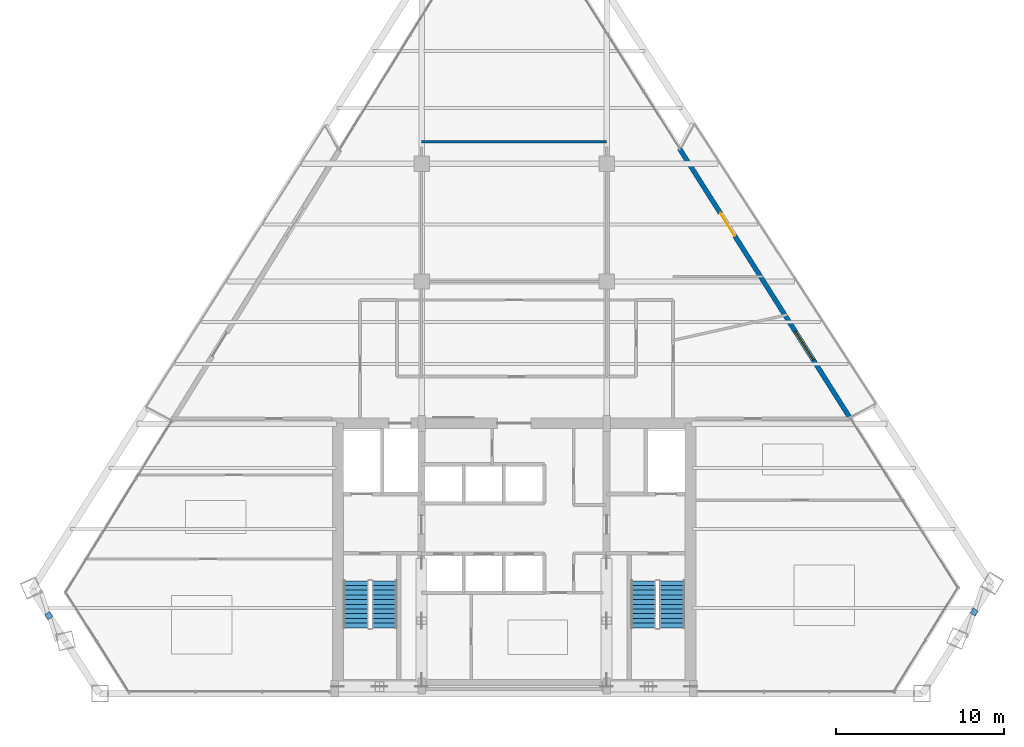
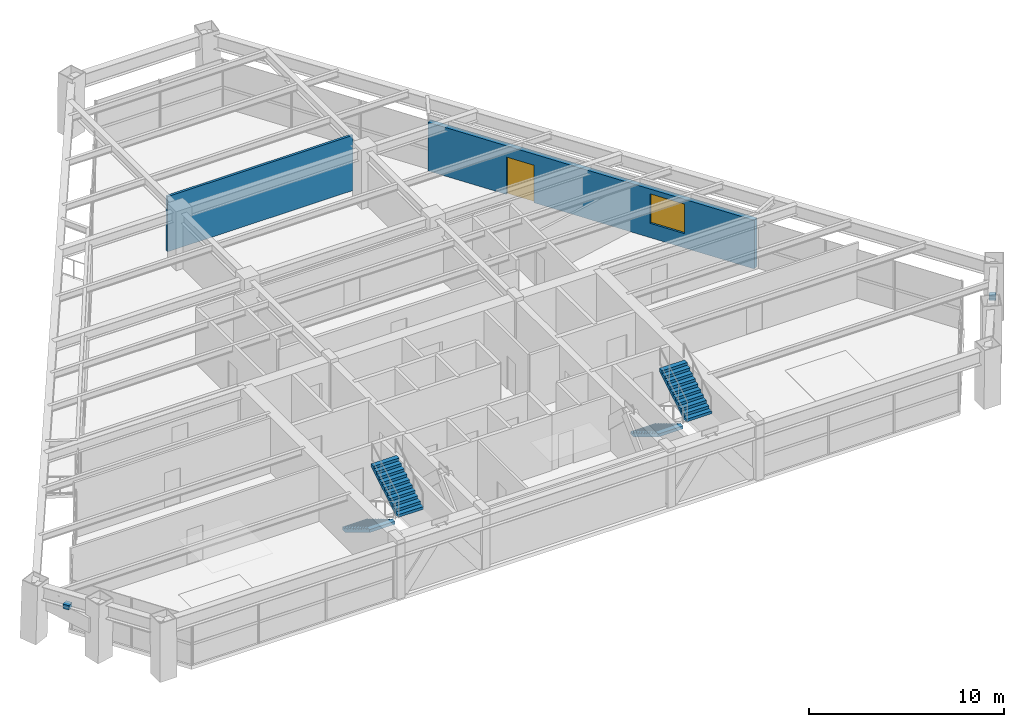
# One storey, part 13 of 15: 4 stair flights, 2 discrete accessories, 2 walls, 1 door, 1 window, 2 openings, 2 elements without a shape of their own.
"""IFC4 building model written with IfcOpenShell, lengths in metres."""

import ifcopenshell
import ifcopenshell.guid

model = None  # the IFC model being written
_history = None  # IfcOwnerHistory: only IFC2X3 demands one
_inside = {}  # id of a spatial element -> (the spatial element, [elements in it])
_under = {}  # id of a project, library or spatial element -> (it, [spatial elements below it])
_declared = {}  # id of a project -> (the project, [libraries it declares])
_typed = {}  # id of a type object -> (the type object, [elements of that type])
_made_of = {}  # id of a material, layer set ... -> (it, [elements and type objects made of it])


def new_model(schema):
    """Start an empty IFC model of exactly this schema.

    Asked for "IFC4X3", IfcOpenShell would pick the latest addendum, in which some entities
    have other attributes; the version numbers below select the first issue.
    IFC2X3 requires an IfcOwnerHistory on every rooted entity: one is made here for all.
    """
    global model, _history
    if schema == "IFC4X3":
        model = ifcopenshell.file(schema_version=(4, 3, 0, 0))
    else:
        model = ifcopenshell.file(schema=schema)
    _inside.clear()
    _under.clear()
    _declared.clear()
    _typed.clear()
    _made_of.clear()
    _history = None
    if model.schema == "IFC2X3":
        org = make("IfcOrganization", Name="unknown")
        user = make(
            "IfcPersonAndOrganization",
            ThePerson=make("IfcPerson", FamilyName="unknown"),
            TheOrganization=org,
        )
        app = make(
            "IfcApplication",
            ApplicationDeveloper=org,
            Version="unknown",
            ApplicationFullName="unknown",
            ApplicationIdentifier="unknown",
        )
        _history = make(
            "IfcOwnerHistory",
            OwningUser=user,
            OwningApplication=app,
            ChangeAction="ADDED",
            CreationDate=0,
        )
    return model


def make(cls, **values):
    """One entity of the class cls with the attributes given. An attribute that is None is left unset."""
    return model.create_entity(
        cls, **{name: value for name, value in values.items() if value is not None}
    )


def rooted(cls, **values):
    """An entity with a GlobalId (a new one), such as an element, a storey or a relation."""
    return make(cls, GlobalId=ifcopenshell.guid.new(), OwnerHistory=_history, **values)


def si_unit(unit_type, name, prefix=None):
    """IfcSIUnit, for example si_unit("LENGTHUNIT", "METRE", prefix="MILLI")."""
    return make("IfcSIUnit", UnitType=unit_type, Prefix=prefix, Name=name)


def assignment(units):
    """IfcUnitAssignment: the units of a project."""
    return None if units is None else make("IfcUnitAssignment", Units=units)


def point(xyz):
    """IfcCartesianPoint."""
    return None if xyz is None else make("IfcCartesianPoint", Coordinates=xyz)


def direction(xyz):
    """IfcDirection."""
    return None if xyz is None else make("IfcDirection", DirectionRatios=xyz)


def frame(location, z_axis=None, x_axis=None):
    """IfcAxis2Placement3D, a coordinate frame: its origin and axes. An axis left out is left unset."""
    return make(
        "IfcAxis2Placement3D",
        Location=point(location),
        Axis=direction(z_axis),
        RefDirection=direction(x_axis),
    )


def frame_2d(location, x_axis=None):
    """IfcAxis2Placement2D, a coordinate frame in the plane: its origin and x axis."""
    return make(
        "IfcAxis2Placement2D", Location=point(location), RefDirection=direction(x_axis)
    )


def origin():
    """The frame at (0, 0, 0) with its axes left unset."""
    return frame((0.0, 0.0, 0.0))


def origin_2d():
    """The frame at (0, 0) in the plane with its x axis left unset."""
    return frame_2d((0.0, 0.0))


def place(relative_to, where):
    """IfcLocalPlacement: puts the frame where relative to a parent placement (None: the world)."""
    return make(
        "IfcLocalPlacement", PlacementRelTo=relative_to, RelativePlacement=where
    )


def context(
    kind, dimensions, precision=None, world=None, true_north=None, identifier=None
):
    """IfcGeometricRepresentationContext, for example the 3D "Model" context."""
    return make(
        "IfcGeometricRepresentationContext",
        ContextIdentifier=identifier,
        ContextType=kind,
        CoordinateSpaceDimension=dimensions,
        Precision=precision,
        WorldCoordinateSystem=world,
        TrueNorth=true_north,
    )


def subcontext(parent, identifier, kind, view, scale=None):
    """IfcGeometricRepresentationSubContext, for example "Body" below "Model"."""
    return make(
        "IfcGeometricRepresentationSubContext",
        ContextIdentifier=identifier,
        ContextType=kind,
        ParentContext=parent,
        TargetScale=scale,
        TargetView=view,
    )


def project(units=None, contexts=None):
    """IfcProject with its units and contexts."""
    return rooted(
        "IfcProject",
        Name="project",
        RepresentationContexts=contexts,
        UnitsInContext=assignment(units),
    )


def spatial(cls, under=None, at=None, **own):
    """A site, building, storey or space (cls), placed at a placement, below another one or the project."""
    s = rooted(cls, ObjectPlacement=at, **own)
    if under is not None:
        _under.setdefault(under.id(), (under, []))[1].append(s)
    return s


def polyline(points):
    """IfcPolyline through the points."""
    return make("IfcPolyline", Points=[point(p) for p in points])


def profile(cls, at=None, kind="AREA", **sizes):
    """A parametric profile (cls). Its sizes go by their IFC names, for example OverallWidth=200.0."""
    return make(cls, ProfileType=kind, Position=at, **sizes)


def rectangle(**sizes):
    """IfcRectangleProfileDef."""
    return profile("IfcRectangleProfileDef", **sizes)


def outline(outer, holes=None, kind="AREA"):
    """IfcArbitraryClosedProfileDef: a profile drawn as a closed curve; with holes, ...WithVoids."""
    if holes is None:
        return make("IfcArbitraryClosedProfileDef", ProfileType=kind, OuterCurve=outer)
    return make(
        "IfcArbitraryProfileDefWithVoids",
        ProfileType=kind,
        OuterCurve=outer,
        InnerCurves=holes,
    )


def extrude(swept, where, along, depth):
    """IfcExtrudedAreaSolid: the profile swept, set in the frame where, extruded along a direction by depth."""
    return make(
        "IfcExtrudedAreaSolid",
        SweptArea=swept,
        Position=where,
        ExtrudedDirection=direction(along),
        Depth=depth,
    )


def shape(context_of_items, identifier, shape_type, items):
    """IfcShapeRepresentation: the items that make up one representation, for example the "Body"."""
    return make(
        "IfcShapeRepresentation",
        ContextOfItems=context_of_items,
        RepresentationIdentifier=identifier,
        RepresentationType=shape_type,
        Items=items,
    )


def source(mapping_origin, context_of_items, identifier, shape_type, items):
    """IfcRepresentationMap: a shape defined once, which mapped items show again and again."""
    return make(
        "IfcRepresentationMap",
        MappingOrigin=mapping_origin,
        MappedRepresentation=shape(context_of_items, identifier, shape_type, items),
    )


def transform(
    local_origin,
    x_axis=None,
    y_axis=None,
    z_axis=None,
    scale=None,
    scale2=None,
    scale3=None,
    uniform=True,
):
    """IfcCartesianTransformationOperator3D, or its non-uniform kind. x_axis, y_axis, z_axis: its Axis1, 2, 3."""
    if uniform:
        return make(
            "IfcCartesianTransformationOperator3D",
            Axis1=direction(x_axis),
            Axis2=direction(y_axis),
            LocalOrigin=point(local_origin),
            Scale=scale,
            Axis3=direction(z_axis),
        )
    return make(
        "IfcCartesianTransformationOperator3DnonUniform",
        Axis1=direction(x_axis),
        Axis2=direction(y_axis),
        LocalOrigin=point(local_origin),
        Scale=scale,
        Axis3=direction(z_axis),
        Scale2=scale2,
        Scale3=scale3,
    )


def mapped(mapping_source, mapping_target):
    """IfcMappedItem: shows the shape of a source again, moved by a transform."""
    return make(
        "IfcMappedItem", MappingSource=mapping_source, MappingTarget=mapping_target
    )


def material(Name=None, Category=None):
    """IfcMaterial."""
    return make("IfcMaterial", Name=Name, Category=Category)


def layer(
    of_material, thickness, ventilated=None, Name=None, Category=None, Priority=None
):
    """IfcMaterialLayer: one layer of a wall or slab, of a material (None: an air gap)."""
    return make(
        "IfcMaterialLayer",
        Material=of_material,
        LayerThickness=thickness,
        IsVentilated=ventilated,
        Name=Name,
        Category=Category,
        Priority=Priority,
    )


def layer_set(layers, Name=None):
    """IfcMaterialLayerSet."""
    return make("IfcMaterialLayerSet", MaterialLayers=layers, LayerSetName=Name)


def made_of(thing, what):
    """Note that an element or type object is made of a material, layer set ...; save() writes the relation."""
    if what is not None:
        _made_of.setdefault(what.id(), (what, []))[1].append(thing)
    return thing


def type_object(cls, material=None, **own):
    """A type object (cls), such as IfcWallType, which elements share."""
    return made_of(rooted(cls, **own), material)


def type_shapes(of_type, sources):
    """Give a type object the sources (RepresentationMaps) that its elements show as mapped items."""
    of_type.RepresentationMaps = sources


def element(
    cls,
    number,
    at=None,
    inside=None,
    cuts=None,
    type_object=None,
    material=None,
    context=None,
    identifier="Body",
    shape_type=None,
    held_by="IfcProductDefinitionShape",
    body=None,
    shapes=None,
    **own,
):
    """One element of the class cls, such as IfcWall. Its Tag is "e" and its number.

    at: its placement. inside: the storey or other place that contains it. cuts: it is an
    opening in that element (IfcRelVoidsElement). A single representation is given by context,
    identifier, shape_type and body (its items); several are given by shapes. held_by: the class
    of the entity that holds the representations. save() writes the other relations.
    """
    e = rooted(cls, Tag="e%d" % number, ObjectPlacement=at, **own)
    if body is not None:
        shapes = [shape(context, identifier, shape_type, body)]
    if shapes is not None:
        e.Representation = make(held_by, Representations=shapes)
    if inside is not None:
        _inside.setdefault(inside.id(), (inside, []))[1].append(e)
    if cuts is not None:
        rooted(
            "IfcRelVoidsElement", RelatingBuildingElement=cuts, RelatedOpeningElement=e
        )
    if type_object is not None:
        _typed.setdefault(type_object.id(), (type_object, []))[1].append(e)
    return made_of(e, material)


def fill(opening, filler):
    """IfcRelFillsElement: the door or window that sits in an opening."""
    return rooted(
        "IfcRelFillsElement",
        RelatingOpeningElement=opening,
        RelatedBuildingElement=filler,
    )


def aggregate(whole, parts):
    """IfcRelAggregates: a whole, such as a stair, and the parts it consists of."""
    return rooted("IfcRelAggregates", RelatingObject=whole, RelatedObjects=parts)


def save(model, path):
    """Write the relations noted so far, then the file.

    IfcRelAggregates (storeys below a building ...), IfcRelContainedInSpatialStructure (elements
    in a storey), IfcRelDefinesByType, IfcRelAssociatesMaterial and IfcRelDeclares: one each for
    every whole, place, type object, material and project.
    """
    for whole, parts in _under.values():
        aggregate(whole, parts)
    for where, things in _inside.values():
        rooted(
            "IfcRelContainedInSpatialStructure",
            RelatedElements=things,
            RelatingStructure=where,
        )
    for kind, things in _typed.values():
        rooted("IfcRelDefinesByType", RelatedObjects=things, RelatingType=kind)
    for what, things in _made_of.values():
        rooted("IfcRelAssociatesMaterial", RelatedObjects=things, RelatingMaterial=what)
    for by, libraries in _declared.values():
        rooted("IfcRelDeclares", RelatingContext=by, RelatedDefinitions=libraries)
    model.write(path)


model = new_model("IFC4")

# Units and contexts
model_context = context("Model", 3, precision=1e-05, world=origin(), true_north=direction((0.0, 1.0)))
body_context = subcontext(model_context, "Body", "Model", "MODEL_VIEW")
ifc_project = project(units=[si_unit("LENGTHUNIT", "METRE"), si_unit("AREAUNIT", "SQUARE_METRE"), si_unit("VOLUMEUNIT", "CUBIC_METRE"), si_unit("PLANEANGLEUNIT", "RADIAN"), si_unit("MASSUNIT", "GRAM", prefix="KILO")], contexts=[model_context])

# Site, building, storey
site_placement = place(None, origin())
site = spatial("IfcSite", under=ifc_project, at=site_placement, CompositionType="ELEMENT")
building_placement = place(site_placement, origin())
building = spatial("IfcBuilding", under=site, at=building_placement, Name="Varnakhor Terracotta Tower", CompositionType="ELEMENT")
storey_placement = place(building_placement, frame((0.0, 0.0, 189.5)))
storey = spatial("IfcBuildingStorey", under=building, at=storey_placement, Name="L48", CompositionType="ELEMENT", Elevation=189.5)

# Wall, openings, door, window
ifc_material_1 = material(Name="Extruded Architectural Terracotta Assembly", Category="masonry")
ifc_layer_1 = layer(ifc_material_1, 0.280029296875, Name="Extruded Architectural Terracotta Assembly")
ifc_layer_set_1 = layer_set([ifc_layer_1], Name="Extruded Architectural Terracotta Assembly")
wall_type_1 = type_object("IfcWallType", Name="WAL-EXT-TERRACOTTA-280", PredefinedType="SOLIDWALL", material=ifc_layer_set_1)
wall_1_placement = place(storey_placement, frame((9.833251953125, 32.400634765625, 0.0), z_axis=(0.0, 0.0, 1.0), x_axis=(0.534873816305, -0.844931950296, 0.0)))
wall_1 = element("IfcWall", 1, at=wall_1_placement, inside=storey, type_object=wall_type_1, Name="L48 E Loggia Insulated Terracotta Wall", PredefinedType="SOLIDWALL", context=body_context, shape_type="SweptSolid", body=[
    extrude(rectangle(XDim=18.931640625, YDim=0.280029296875, at=frame_2d((9.4658203125, 0.0))), origin(), (0.0, 0.0, 1.0), 3.050048828125),
])
opening_1_placement = place(wall_1_placement, frame((4.543701171875, 0.0, 0.0)))
opening_1 = element("IfcOpeningElement", 2, at=opening_1_placement, cuts=wall_1, Name="Opening DR-62", PredefinedType="OPENING", context=body_context, shape_type="SweptSolid", body=[
    extrude(rectangle(XDim=1.60009765625, YDim=2.35009765625, at=frame_2d((0.800048828125, 1.175048828125))), frame((0.0, 0.14990234375, 0.0), z_axis=(0.0, -1.0, 0.0), x_axis=(1.0, 0.0, 0.0)), (0.0, 0.0, 1.0), 0.300048828125),
])
opening_2_placement = place(wall_1_placement, frame((12.87353515625, 0.0, 0.89990234375)))
opening_2 = element("IfcOpeningElement", 3, at=opening_2_placement, cuts=wall_1, Name="Opening WN-26", PredefinedType="OPENING", context=body_context, shape_type="SweptSolid", body=[
    extrude(rectangle(XDim=2.0, YDim=1.85009765625, at=frame_2d((1.0, 0.925048828125))), frame((0.0, 0.14990234375, 0.0), z_axis=(0.0, -1.0, 0.0), x_axis=(1.0, 0.0, 0.0)), (0.0, 0.0, 1.0), 0.300048828125),
])
ifc_material_2 = material(Name="Thermally Broken Sliding Glass Loggia Door", Category="glass")
door_type = type_object("IfcDoorType", Name="DR-EXT-LOGGIA-1600X2350", OperationType="NOTDEFINED", PredefinedType="DOOR", material=ifc_material_2)
shared_shape_1 = source(origin(), body_context, "Body", "SweptSolid", [
    extrude(rectangle(XDim=1.60009765625, YDim=2.35009765625, at=frame_2d((0.800048828125, 1.175048828125))), frame((0.0, 0.02490234375, 0.0), z_axis=(0.0, -1.0, 0.0), x_axis=(1.0, 0.0, 0.0)), (0.0, 0.0, 1.0), 0.050048828125),
])
type_shapes(door_type, [shared_shape_1])
door_placement = place(opening_1_placement, origin())
door = element("IfcDoor", 4, at=door_placement, inside=storey, type_object=door_type, Name="L48 E Recessed Loggia Sliding Door", OperationType="SLIDING_TO_RIGHT", OverallHeight=2.35009765625, OverallWidth=1.60009765625, PredefinedType="DOOR", context=body_context, shape_type="MappedRepresentation", body=[
    mapped(shared_shape_1, transform((0.0, 0.0, 0.0), scale=1.0)),
])
fill(opening_1, door)
ifc_material_3 = material(Name="Solar-Control Low-E Insulated Glass Unit", Category="glass")
window_type = type_object("IfcWindowType", Name="WIN-OFF-2200X2100", PartitioningType="SINGLE_PANEL", PredefinedType="WINDOW", material=ifc_material_3)
shared_shape_2 = source(origin(), body_context, "Body", "SweptSolid", [
    extrude(rectangle(XDim=2.0, YDim=1.85009765625, at=frame_2d((1.0, 0.925048828125))), frame((0.0, 0.030029296875, 0.0), z_axis=(0.0, -1.0, 0.0), x_axis=(1.0, 0.0, 0.0)), (0.0, 0.0, 1.0), 0.06005859375),
])
type_shapes(window_type, [shared_shape_2])
window_placement = place(opening_2_placement, origin())
window = element("IfcWindow", 5, at=window_placement, inside=storey, type_object=window_type, Name="L48 E Facet Punched Window", OverallHeight=1.85009765625, OverallWidth=2.0, PartitioningType="SINGLE_PANEL", PredefinedType="WINDOW", context=body_context, shape_type="MappedRepresentation", body=[
    mapped(shared_shape_2, transform((0.0, 0.0, 0.0), scale=1.0)),
])
fill(opening_2, window)

# Wall
ifc_material_4 = material(Name="Acoustic Metal-Stud Partition", Category="gypsum")
ifc_layer_2 = layer(ifc_material_4, 0.139892578125, Name="Acoustic Metal-Stud Partition")
ifc_layer_set_2 = layer_set([ifc_layer_2], Name="Acoustic Metal-Stud Partition")
wall_type_2 = type_object("IfcWallType", Name="WAL-PART-140", PredefinedType="PARTITIONING", material=ifc_layer_set_2)
wall_2_placement = place(storey_placement, frame((-5.5, 32.800048828125, 0.0), z_axis=(0.0, 0.0, 1.0), x_axis=(1.0, 0.0, 0.0)))
element("IfcWall", 6, at=wall_2_placement, inside=storey, type_object=wall_type_2, Name="L48 Center Cross Cut 2", PredefinedType="PARTITIONING", context=body_context, shape_type="SweptSolid", body=[
    extrude(rectangle(XDim=11.0, YDim=0.139892578125, at=frame_2d((5.5, 0.0))), origin(), (0.0, 0.0, 1.0), 3.4619140625),
])

# Stair, stair flights
ifc_material_5 = material(Name="Concrete C40/50", Category="concrete")
stair_type = type_object("IfcStairType", Name="STR-CORE-OFFICE-1500", PredefinedType="HALF_TURN_STAIR", material=ifc_material_5)
stair_1_placement = place(storey_placement, origin())
stair_1 = element("IfcStair", 7, at=stair_1_placement, inside=storey, type_object=stair_type, Name="L48 Core Exit Stair ST-1", PredefinedType="HALF_TURN_STAIR")
stair_flight_type = type_object("IfcStairFlightType", Name="FLT-CORE-1500", PredefinedType="STRAIGHT", material=ifc_material_5)
stair_flight_1_placement = place(storey_placement, frame((-9.39990234375, 6.7099609375, 0.0), z_axis=(0.0, 0.0, 1.0), x_axis=(0.0, -1.0, 0.0)))
stair_flight_1 = element("IfcStairFlight", 8, at=stair_flight_1_placement, type_object=stair_flight_type, Name="ST-1 flight 1", NumberOfRisers=11, NumberOfTreads=10, PredefinedType="STRAIGHT", RiserHeight=0.168181818, TreadLength=0.28, context=body_context, shape_type="SweptSolid", body=[
    extrude(outline(polyline([(0.0, 0.0), (0.0, 0.168212890625), (0.280029296875, 0.168212890625), (0.280029296875, 0.33642578125), (0.56005859375, 0.33642578125), (0.56005859375, 0.504638671875), (0.840087890625, 0.504638671875), (0.840087890625, 0.672607421875), (1.1201171875, 0.672607421875), (1.1201171875, 0.8408203125), (1.39990234375, 0.8408203125), (1.39990234375, 1.009033203125), (1.679931640625, 1.009033203125), (1.679931640625, 1.17724609375), (1.9599609375, 1.17724609375), (1.9599609375, 1.345458984375), (2.239990234375, 1.345458984375), (2.239990234375, 1.513671875), (2.52001953125, 1.513671875), (2.52001953125, 1.681884765625), (2.800048828125, 1.681884765625), (2.800048828125, 1.85009765625), (2.800048828125, 1.495361328125), (0.310546875, 0.0), (0.0, 0.0)])), frame((0.0, 0.75, 0.0), z_axis=(0.0, -1.0, 0.0), x_axis=(1.0, 0.0, 0.0)), (0.0, 0.0, 1.0), 1.5),
])
stair_flight_2_placement = place(storey_placement, frame((-7.699951171875, 3.909912109375, 1.85009765625), z_axis=(0.0, 0.0, 1.0), x_axis=(0.0, 1.0, 0.0)))
stair_flight_2 = element("IfcStairFlight", 9, at=stair_flight_2_placement, type_object=stair_flight_type, Name="ST-1 flight 2", NumberOfRisers=11, NumberOfTreads=10, PredefinedType="STRAIGHT", RiserHeight=0.168181818, TreadLength=0.28, context=body_context, shape_type="SweptSolid", body=[
    extrude(outline(polyline([(0.0, 0.0), (0.0, 0.168212890625), (0.280029296875, 0.168212890625), (0.280029296875, 0.33642578125), (0.56005859375, 0.33642578125), (0.56005859375, 0.504638671875), (0.840087890625, 0.504638671875), (0.840087890625, 0.672607421875), (1.1201171875, 0.672607421875), (1.1201171875, 0.8408203125), (1.39990234375, 0.8408203125), (1.39990234375, 1.009033203125), (1.679931640625, 1.009033203125), (1.679931640625, 1.17724609375), (1.9599609375, 1.17724609375), (1.9599609375, 1.345458984375), (2.239990234375, 1.345458984375), (2.239990234375, 1.513671875), (2.52001953125, 1.513671875), (2.52001953125, 1.681884765625), (2.800048828125, 1.681884765625), (2.800048828125, 1.85009765625), (2.800048828125, 1.495361328125), (0.310546875, 0.0), (0.0, 0.0)])), frame((0.0, 0.75, 0.0), z_axis=(0.0, -1.0, 0.0), x_axis=(1.0, 0.0, 0.0)), (0.0, 0.0, 1.0), 1.5),
])
aggregate(stair_1, [stair_flight_1, stair_flight_2])

stair_2_placement = place(storey_placement, origin())
stair_2 = element("IfcStair", 10, at=stair_2_placement, inside=storey, type_object=stair_type, Name="L48 Core Exit Stair ST-2", PredefinedType="HALF_TURN_STAIR")
stair_flight_3_placement = place(storey_placement, frame((7.699951171875, 6.7099609375, 0.0), z_axis=(0.0, 0.0, 1.0), x_axis=(0.0, -1.0, 0.0)))
stair_flight_3 = element("IfcStairFlight", 11, at=stair_flight_3_placement, type_object=stair_flight_type, Name="ST-2 flight 1", NumberOfRisers=11, NumberOfTreads=10, PredefinedType="STRAIGHT", RiserHeight=0.168181818, TreadLength=0.28, context=body_context, shape_type="SweptSolid", body=[
    extrude(outline(polyline([(0.0, 0.0), (0.0, 0.168212890625), (0.280029296875, 0.168212890625), (0.280029296875, 0.33642578125), (0.56005859375, 0.33642578125), (0.56005859375, 0.504638671875), (0.840087890625, 0.504638671875), (0.840087890625, 0.672607421875), (1.1201171875, 0.672607421875), (1.1201171875, 0.8408203125), (1.39990234375, 0.8408203125), (1.39990234375, 1.009033203125), (1.679931640625, 1.009033203125), (1.679931640625, 1.17724609375), (1.9599609375, 1.17724609375), (1.9599609375, 1.345458984375), (2.239990234375, 1.345458984375), (2.239990234375, 1.513671875), (2.52001953125, 1.513671875), (2.52001953125, 1.681884765625), (2.800048828125, 1.681884765625), (2.800048828125, 1.85009765625), (2.800048828125, 1.495361328125), (0.310546875, 0.0), (0.0, 0.0)])), frame((0.0, 0.75, 0.0), z_axis=(0.0, -1.0, 0.0), x_axis=(1.0, 0.0, 0.0)), (0.0, 0.0, 1.0), 1.5),
])
stair_flight_4_placement = place(storey_placement, frame((9.39990234375, 3.909912109375, 1.85009765625), z_axis=(0.0, 0.0, 1.0), x_axis=(0.0, 1.0, 0.0)))
stair_flight_4 = element("IfcStairFlight", 12, at=stair_flight_4_placement, type_object=stair_flight_type, Name="ST-2 flight 2", NumberOfRisers=11, NumberOfTreads=10, PredefinedType="STRAIGHT", RiserHeight=0.168181818, TreadLength=0.28, context=body_context, shape_type="SweptSolid", body=[
    extrude(outline(polyline([(0.0, 0.0), (0.0, 0.168212890625), (0.280029296875, 0.168212890625), (0.280029296875, 0.33642578125), (0.56005859375, 0.33642578125), (0.56005859375, 0.504638671875), (0.840087890625, 0.504638671875), (0.840087890625, 0.672607421875), (1.1201171875, 0.672607421875), (1.1201171875, 0.8408203125), (1.39990234375, 0.8408203125), (1.39990234375, 1.009033203125), (1.679931640625, 1.009033203125), (1.679931640625, 1.17724609375), (1.9599609375, 1.17724609375), (1.9599609375, 1.345458984375), (2.239990234375, 1.345458984375), (2.239990234375, 1.513671875), (2.52001953125, 1.513671875), (2.52001953125, 1.681884765625), (2.800048828125, 1.681884765625), (2.800048828125, 1.85009765625), (2.800048828125, 1.495361328125), (0.310546875, 0.0), (0.0, 0.0)])), frame((0.0, 0.75, 0.0), z_axis=(0.0, -1.0, 0.0), x_axis=(1.0, 0.0, 0.0)), (0.0, 0.0, 1.0), 1.5),
])
aggregate(stair_2, [stair_flight_3, stair_flight_4])

# Discrete accessories
ifc_material_6 = material(Name="Stainless Steel Fixing Bracket", Category="steel")
discrete_accessory_type = type_object("IfcDiscreteAccessoryType", Name="BRACKET-TERRACOTTA-SCREEN", PredefinedType="BRACKET", material=ifc_material_6)
shared_shape_3 = source(origin(), body_context, "Body", "SweptSolid", [
    extrude(rectangle(XDim=0.35009765625, YDim=0.35009765625, at=origin_2d()), origin(), (0.0, 0.0, 1.0), 0.280029296875),
])
type_shapes(discrete_accessory_type, [shared_shape_3])
for number, where, z_axis, x_axis, name in (
    (13, (27.348876953125, 4.852783203125, 2.48486328125), (0.0, 0.0, 1.0), (0.534971815054, 0.844869905428, 0.0), "L48 E Screen Fixing Bracket"),
    (14, (-27.656494140625, 4.635498046875, 2.48486328125), (0.0, 0.0, 1.0), (0.544463372318, -0.838784618483, 0.0), "L48 W Screen Fixing Bracket"),
):
    element("IfcDiscreteAccessory", number, at=place(storey_placement, frame(where, z_axis=z_axis, x_axis=x_axis)), inside=storey, type_object=discrete_accessory_type, Name=name, PredefinedType="BRACKET", context=body_context, shape_type="MappedRepresentation", body=[
        mapped(shared_shape_3, transform((0.0, 0.0, 0.0), scale=1.0)),
    ])

save(model, "model.ifc")
